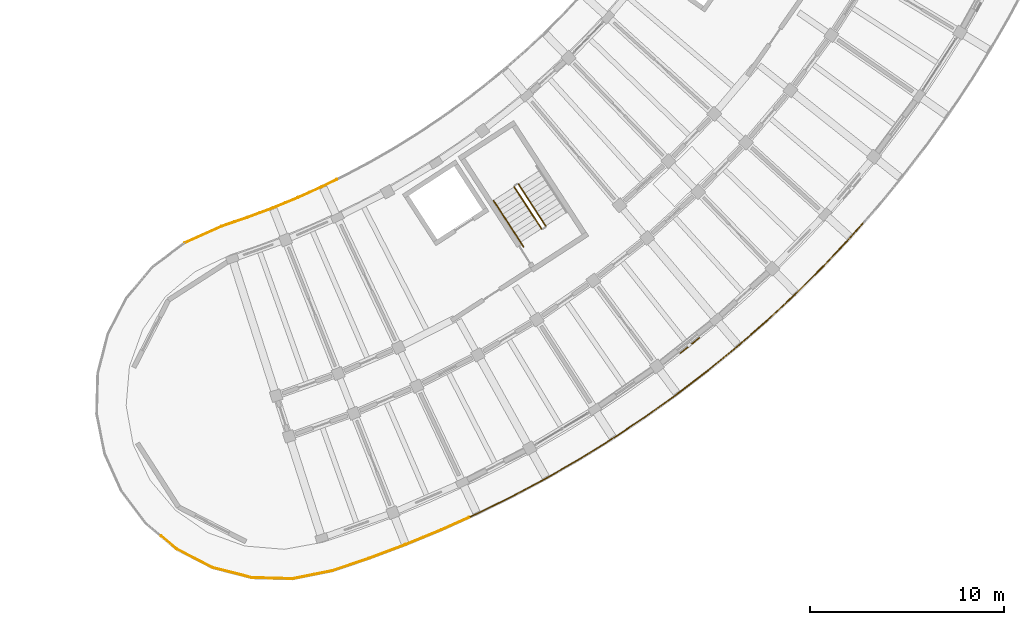
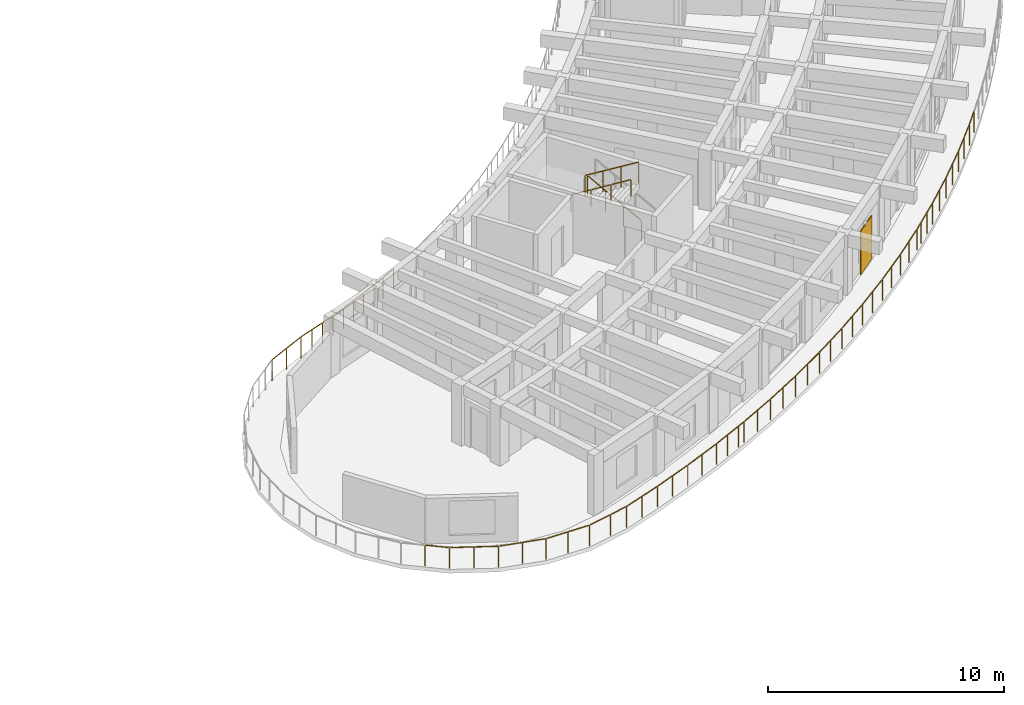
# One storey, part 71 of 78: 11 railings, 1 shading device.
"""IFC4 building model written with IfcOpenShell, lengths in metres."""

from ifc_helpers import new_model, si_unit, direction, frame, origin, origin_2d, place, context, subcontext, project, spatial, rectangle, circle, extrude, material, layer, layer_set, type_object, element, save


model = new_model("IFC4")

# Units and contexts
model_context = context("Model", 3, precision=1e-05, world=origin(), true_north=direction((0.0, 1.0)))
body_context = subcontext(model_context, "Body", "Model", "MODEL_VIEW")
ifc_project = project(units=[si_unit("LENGTHUNIT", "METRE"), si_unit("AREAUNIT", "SQUARE_METRE"), si_unit("VOLUMEUNIT", "CUBIC_METRE"), si_unit("PLANEANGLEUNIT", "RADIAN"), si_unit("MASSUNIT", "GRAM", prefix="KILO")], contexts=[model_context])

# Site, building, storey
site_placement = place(None, origin())
site = spatial("IfcSite", under=ifc_project, at=site_placement, CompositionType="ELEMENT")
building_placement = place(site_placement, origin())
building = spatial("IfcBuilding", under=site, at=building_placement, Name="Tanwirah Colonnade Gardens", CompositionType="ELEMENT")
storey_placement = place(building_placement, frame((0.0, 0.0, 22.280029296875)))
storey = spatial("IfcBuildingStorey", under=building, at=storey_placement, Name="L06", CompositionType="ELEMENT", Elevation=22.280029296875)

# Railings
ifc_material_1 = material(Name="Precast concrete C40/50", Category="concrete")
railing_type_1 = type_object("IfcRailingType", Name="BAL-EXT110", PredefinedType="BALUSTRADE", material=ifc_material_1)
railing_1_placement = place(storey_placement, frame((132.10791015625, 22.99658203125, 0.0)))
element("IfcRailing", 1, at=railing_1_placement, inside=storey, type_object=railing_type_1, Name="Block D L06 Balcony Ribbon Balustrade 1", PredefinedType="BALUSTRADE", context=body_context, shape_type="SweptSolid", body=[
    extrude(circle(Radius=0.02392578125, at=origin_2d()), frame((0.028564453125, 0.0126953125, 1.076171875), z_axis=(0.912318470045, 0.409481390559, 0.0), x_axis=(-0.409481390559, 0.912318470045, 0.0)), (0.0, 0.0, 1.0), 2.029541015625),
    extrude(circle(Radius=0.02392578125, at=origin_2d()), frame((1.938232421875, 0.86669921875, 1.076171875), z_axis=(0.947251242872, 0.320491938866, 0.0), x_axis=(-0.320491938866, 0.947251242872, 0.0)), (0.0, 0.0, 1.0), 1.32763671875),
    extrude(circle(Radius=0.02392578125, at=origin_2d()), frame((3.25732421875, 1.314208984375, 1.076171875), z_axis=(0.936314781462, 0.351161828813, 0.0), x_axis=(-0.351161828813, 0.936314781462, 0.0)), (0.0, 0.0, 1.0), 1.33154296875),
    extrude(circle(Radius=0.02392578125, at=origin_2d()), frame((4.564453125, 1.8056640625, 1.076171875), z_axis=(0.924300384608, 0.381665821122, 0.0), x_axis=(-0.381665821122, 0.924300384608, 0.0)), (0.0, 0.0, 1.0), 1.331298828125),
    extrude(circle(Radius=0.02392578125, at=origin_2d()), frame((5.85498046875, 2.33984375, 1.076171875), z_axis=(0.911383314029, 0.411558568018, 0.0), x_axis=(-0.411558568018, 0.911383314029, 0.0)), (0.0, 0.0, 1.0), 1.33154296875),
    extrude(circle(Radius=0.02392578125, at=origin_2d()), frame((7.127197265625, 2.915771484375, 1.076171875), z_axis=(0.897365326913, 0.441288420486, 0.0), x_axis=(-0.441288420486, 0.897365326913, 0.0)), (0.0, 0.0, 1.0), 0.762939453125),
    extrude(circle(Radius=0.02099609375, at=origin_2d()), origin(), (0.0, 0.0, 1.0), 1.049072265625),
    extrude(circle(Radius=0.02099609375, at=origin_2d()), frame((0.954345703125, 0.42822265625, 0.0)), (0.0, 0.0, 1.0), 1.049072265625),
    extrude(circle(Radius=0.02099609375, at=origin_2d()), frame((1.90869140625, 0.856689453125, 0.0)), (0.0, 0.0, 1.0), 1.049072265625),
    extrude(circle(Radius=0.02099609375, at=origin_2d()), frame((2.567138671875, 1.07958984375, 0.0)), (0.0, 0.0, 1.0), 1.049072265625),
    extrude(circle(Radius=0.02099609375, at=origin_2d()), frame((3.2255859375, 1.30224609375, 0.0)), (0.0, 0.0, 1.0), 1.049072265625),
    extrude(circle(Radius=0.02099609375, at=origin_2d()), frame((3.880615234375, 1.5478515625, 0.0)), (0.0, 0.0, 1.0), 1.049072265625),
    extrude(circle(Radius=0.02099609375, at=origin_2d()), frame((4.533203125, 1.792724609375, 0.0)), (0.0, 0.0, 1.0), 1.049072265625),
    extrude(circle(Radius=0.02099609375, at=origin_2d()), frame((5.1796875, 2.0595703125, 0.0)), (0.0, 0.0, 1.0), 1.049072265625),
    extrude(circle(Radius=0.02099609375, at=origin_2d()), frame((5.823974609375, 2.32568359375, 0.0)), (0.0, 0.0, 1.0), 1.049072265625),
    extrude(circle(Radius=0.02099609375, at=origin_2d()), frame((6.461669921875, 2.61376953125, 0.0)), (0.0, 0.0, 1.0), 1.049072265625),
    extrude(circle(Radius=0.02099609375, at=origin_2d()), frame((7.096923828125, 2.900634765625, 0.0)), (0.0, 0.0, 1.0), 1.049072265625),
    extrude(circle(Radius=0.02099609375, at=origin_2d()), frame((7.83984375, 3.26611328125, 0.0)), (0.0, 0.0, 1.0), 1.049072265625),
])
railing_2_placement = place(storey_placement, frame((167.04296875, 24.01318359375, 0.0)))
element("IfcRailing", 2, at=railing_2_placement, inside=storey, type_object=railing_type_1, Name="Block D L06 Balcony Ribbon Balustrade 12", PredefinedType="BALUSTRADE", context=body_context, shape_type="SweptSolid", body=[
    extrude(circle(Radius=0.02392578125, at=origin_2d()), frame((-0.020751953125, -0.0234375, 1.076171875), z_axis=(-0.66021592109, -0.751075853386, 0.0), x_axis=(0.751075853386, -0.66021592109, 0.0)), (0.0, 0.0, 1.0), 0.92626953125),
    extrude(circle(Radius=0.02392578125, at=origin_2d()), frame((-0.67431640625, -0.765380859375, 1.076171875), z_axis=(-0.684365955264, -0.729138696871, 0.0), x_axis=(0.729138696871, -0.684365955264, 0.0)), (0.0, 0.0, 1.0), 1.944091796875),
    extrude(circle(Radius=0.02392578125, at=origin_2d()), frame((-2.04833984375, -2.227783203125, 1.076171875), z_axis=(-0.707897217537, -0.706315460261, 0.0), x_axis=(0.706315460261, -0.707897217537, 0.0)), (0.0, 0.0, 1.0), 1.944091796875),
    extrude(circle(Radius=0.02392578125, at=origin_2d()), frame((-3.469482421875, -3.644287109375, 1.076171875), z_axis=(-0.730610060212, -0.682794947196, 0.0), x_axis=(0.682794947196, -0.730610060212, 0.0)), (0.0, 0.0, 1.0), 1.944091796875),
    extrude(circle(Radius=0.02392578125, at=origin_2d()), frame((-4.93603515625, -5.013671875, 1.076171875), z_axis=(-0.752525989132, -0.658562552595, 0.0), x_axis=(0.658562552595, -0.752525989132, 0.0)), (0.0, 0.0, 1.0), 1.428955078125),
    extrude(circle(Radius=0.02099609375, at=origin_2d()), origin(), (0.0, 0.0, 1.0), 1.049072265625),
    extrude(circle(Radius=0.02099609375, at=origin_2d()), frame((-0.65283203125, -0.74267578125, 0.0)), (0.0, 0.0, 1.0), 1.049072265625),
    extrude(circle(Radius=0.02099609375, at=origin_2d()), frame((-1.33935546875, -1.47412109375, 0.0)), (0.0, 0.0, 1.0), 1.049072265625),
    extrude(circle(Radius=0.02099609375, at=origin_2d()), frame((-2.026123046875, -2.205810546875, 0.0)), (0.0, 0.0, 1.0), 1.049072265625),
    extrude(circle(Radius=0.02099609375, at=origin_2d()), frame((-2.736328125, -2.91455078125, 0.0)), (0.0, 0.0, 1.0), 1.049072265625),
    extrude(circle(Radius=0.02099609375, at=origin_2d()), frame((-3.446533203125, -3.623046875, 0.0)), (0.0, 0.0, 1.0), 1.049072265625),
    extrude(circle(Radius=0.02099609375, at=origin_2d()), frame((-4.1796875, -4.30810546875, 0.0)), (0.0, 0.0, 1.0), 1.049072265625),
    extrude(circle(Radius=0.02099609375, at=origin_2d()), frame((-4.91259765625, -4.9931640625, 0.0)), (0.0, 0.0, 1.0), 1.049072265625),
    extrude(circle(Radius=0.02099609375, at=origin_2d()), frame((-5.4736328125, -5.484375, 0.0)), (0.0, 0.0, 1.0), 1.049072265625),
    extrude(circle(Radius=0.02099609375, at=origin_2d()), frame((-6.034912109375, -5.975341796875, 0.0)), (0.0, 0.0, 1.0), 1.049072265625),
])
railing_3_placement = place(storey_placement, frame((161.008056640625, 18.037841796875, 0.0)))
element("IfcRailing", 3, at=railing_3_placement, inside=storey, type_object=railing_type_1, Name="Block D L06 Balcony Ribbon Balustrade 13", PredefinedType="BALUSTRADE", context=body_context, shape_type="SweptSolid", body=[
    extrude(circle(Radius=0.02392578125, at=origin_2d()), frame((-0.0234375, -0.0205078125, 1.076171875), z_axis=(-0.752459270852, -0.658638782421, 0.0), x_axis=(0.658638782421, -0.752459270852, 0.0)), (0.0, 0.0, 1.0), 0.45263671875),
    extrude(circle(Radius=0.02392578125, at=origin_2d()), frame((-0.411865234375, -0.359130859375, 1.076171875), z_axis=(-0.773707873236, -0.633542521771, 0.0), x_axis=(0.633542521771, -0.773707873236, 0.0)), (0.0, 0.0, 1.0), 1.944091796875),
    extrude(circle(Radius=0.02392578125, at=origin_2d()), frame((-1.965087890625, -1.629638671875, 1.076171875), z_axis=(-0.794033083107, -0.607874545388, 0.0), x_axis=(0.607874545388, -0.794033083107, 0.0)), (0.0, 0.0, 1.0), 1.944091796875),
    extrude(circle(Radius=0.02392578125, at=origin_2d()), frame((-3.558837890625, -2.848388671875, 1.076171875), z_axis=(-0.813486769226, -0.581583421612, 0.0), x_axis=(0.581583421612, -0.813486769226, 0.0)), (0.0, 0.0, 1.0), 1.944091796875),
    extrude(circle(Radius=0.02392578125, at=origin_2d()), frame((-5.19189453125, -4.0146484375, 1.076171875), z_axis=(-0.83206940562, -0.554671528232, 0.0), x_axis=(0.554671528232, -0.83206940562, 0.0)), (0.0, 0.0, 1.0), 1.90283203125),
    extrude(circle(Radius=0.02099609375, at=origin_2d()), origin(), (0.0, 0.0, 1.0), 1.049072265625),
    extrude(circle(Radius=0.02099609375, at=origin_2d()), frame((-0.3876953125, -0.33935546875, 0.0)), (0.0, 0.0, 1.0), 1.049072265625),
    extrude(circle(Radius=0.02099609375, at=origin_2d()), frame((-1.1640625, -0.97509765625, 0.0)), (0.0, 0.0, 1.0), 1.049072265625),
    extrude(circle(Radius=0.02099609375, at=origin_2d()), frame((-1.940185546875, -1.610595703125, 0.0)), (0.0, 0.0, 1.0), 1.049072265625),
    extrude(circle(Radius=0.02099609375, at=origin_2d()), frame((-2.73681640625, -2.220458984375, 0.0)), (0.0, 0.0, 1.0), 1.049072265625),
    extrude(circle(Radius=0.02099609375, at=origin_2d()), frame((-3.533447265625, -2.830322265625, 0.0)), (0.0, 0.0, 1.0), 1.049072265625),
    extrude(circle(Radius=0.02099609375, at=origin_2d()), frame((-4.349609375, -3.413818359375, 0.0)), (0.0, 0.0, 1.0), 1.049072265625),
    extrude(circle(Radius=0.02099609375, at=origin_2d()), frame((-5.165771484375, -3.997314453125, 0.0)), (0.0, 0.0, 1.0), 1.049072265625),
    extrude(circle(Radius=0.02099609375, at=origin_2d()), frame((-5.9833984375, -4.54248046875, 0.0)), (0.0, 0.0, 1.0), 1.049072265625),
    extrude(circle(Radius=0.02099609375, at=origin_2d()), frame((-6.801025390625, -5.08740234375, 0.0)), (0.0, 0.0, 1.0), 1.049072265625),
])
railing_4_placement = place(storey_placement, frame((154.20703125, 12.950439453125, 0.0)))
element("IfcRailing", 4, at=railing_4_placement, inside=storey, type_object=railing_type_1, Name="Block D L06 Balcony Ribbon Balustrade 14", PredefinedType="BALUSTRADE", context=body_context, shape_type="SweptSolid", body=[
    extrude(circle(Radius=0.02392578125, at=origin_2d()), frame((-0.06103515625, -0.03955078125, 1.076171875), z_axis=(-0.84977735452, -0.527141771959, 0.0), x_axis=(0.527141771959, -0.84977735452, 0.0)), (0.0, 0.0, 1.0), 1.9443359375),
    extrude(circle(Radius=0.02392578125, at=origin_2d()), frame((-1.766845703125, -1.096435546875, 1.076171875), z_axis=(-0.866598539642, -0.499005983021, 0.0), x_axis=(0.499005983021, -0.866598539642, 0.0)), (0.0, 0.0, 1.0), 1.94384765625),
    extrude(circle(Radius=0.02392578125, at=origin_2d()), frame((-3.506103515625, -2.0966796875, 1.076171875), z_axis=(-0.882416921514, -0.470468252516, 0.0), x_axis=(0.470468252516, -0.882416921514, 0.0)), (0.0, 0.0, 1.0), 1.944091796875),
    extrude(circle(Radius=0.02392578125, at=origin_2d()), frame((-5.27734375, -3.0400390625, 1.076171875), z_axis=(-0.897352335885, -0.441314836916, 0.0), x_axis=(0.441314836916, -0.897352335885, 0.0)), (0.0, 0.0, 1.0), 1.944091796875),
    extrude(circle(Radius=0.02392578125, at=origin_2d()), frame((-7.078369140625, -3.924560546875, 1.076171875), z_axis=(-0.911254351901, -0.41184403133, 0.0), x_axis=(0.41184403133, -0.911254351901, 0.0)), (0.0, 0.0, 1.0), 0.36962890625),
    extrude(circle(Radius=0.02099609375, at=origin_2d()), origin(), (0.0, 0.0, 1.0), 1.049072265625),
    extrude(circle(Radius=0.02099609375, at=origin_2d()), frame((-0.88720703125, -0.5517578125, 0.0)), (0.0, 0.0, 1.0), 1.049072265625),
    extrude(circle(Radius=0.02099609375, at=origin_2d()), frame((-1.73974609375, -1.080810546875, 0.0)), (0.0, 0.0, 1.0), 1.049072265625),
    extrude(circle(Radius=0.02099609375, at=origin_2d()), frame((-2.609130859375, -1.58154296875, 0.0)), (0.0, 0.0, 1.0), 1.049072265625),
    extrude(circle(Radius=0.02099609375, at=origin_2d()), frame((-3.478515625, -2.08203125, 0.0)), (0.0, 0.0, 1.0), 1.049072265625),
    extrude(circle(Radius=0.02099609375, at=origin_2d()), frame((-4.36376953125, -2.55419921875, 0.0)), (0.0, 0.0, 1.0), 1.049072265625),
    extrude(circle(Radius=0.02099609375, at=origin_2d()), frame((-5.249267578125, -3.026123046875, 0.0)), (0.0, 0.0, 1.0), 1.049072265625),
    extrude(circle(Radius=0.02099609375, at=origin_2d()), frame((-6.1494140625, -3.46875, 0.0)), (0.0, 0.0, 1.0), 1.049072265625),
    extrude(circle(Radius=0.02099609375, at=origin_2d()), frame((-7.0498046875, -3.91162109375, 0.0)), (0.0, 0.0, 1.0), 1.049072265625),
    extrude(circle(Radius=0.02099609375, at=origin_2d()), frame((-7.443603515625, -4.089599609375, 0.0)), (0.0, 0.0, 1.0), 1.049072265625),
])
railing_5_placement = place(storey_placement, frame((146.763427734375, 8.86083984375, 0.0)))
element("IfcRailing", 5, at=railing_5_placement, inside=storey, type_object=railing_type_1, Name="Block D L06 Balcony Ribbon Balustrade 15", PredefinedType="BALUSTRADE", context=body_context, shape_type="SweptSolid", body=[
    extrude(circle(Radius=0.02392578125, at=origin_2d()), frame((-0.028564453125, -0.012939453125, 1.076171875), z_axis=(-0.911319931771, -0.411698897201, 0.0), x_axis=(0.411698897201, -0.911319931771, 0.0)), (0.0, 0.0, 1.0), 1.511962890625),
    extrude(circle(Radius=0.02392578125, at=origin_2d()), frame((-1.463623046875, -0.66015625, 1.076171875), z_axis=(-0.924299685122, -0.381667515102, 0.0), x_axis=(0.381667515102, -0.924299685122, 0.0)), (0.0, 0.0, 1.0), 1.944091796875),
    extrude(circle(Radius=0.02392578125, at=origin_2d()), frame((-3.31884765625, -1.425048828125, 1.076171875), z_axis=(-0.93628917395, -0.351230099427, 0.0), x_axis=(0.351230099427, -0.93628917395, 0.0)), (0.0, 0.0, 1.0), 1.9443359375),
    extrude(circle(Radius=0.02392578125, at=origin_2d()), frame((-5.197998046875, -2.12890625, 1.076171875), z_axis=(-0.947284297423, -0.320394225692, 0.0), x_axis=(0.320394225692, -0.947284297423, 0.0)), (0.0, 0.0, 1.0), 1.93994140625),
    extrude(circle(Radius=0.02392578125, at=origin_2d()), frame((-7.09619140625, -2.7666015625, 1.076171875), z_axis=(-0.980560022105, -0.196219374804, 0.0), x_axis=(0.196219374804, -0.980560022105, 0.0)), (0.0, 0.0, 1.0), 0.846923828125),
    extrude(circle(Radius=0.02099609375, at=origin_2d()), origin(), (0.0, 0.0, 1.0), 1.049072265625),
    extrude(circle(Radius=0.02099609375, at=origin_2d()), frame((-0.71728515625, -0.32421875, 0.0)), (0.0, 0.0, 1.0), 1.049072265625),
    extrude(circle(Radius=0.02099609375, at=origin_2d()), frame((-1.434814453125, -0.648193359375, 0.0)), (0.0, 0.0, 1.0), 1.049072265625),
    extrude(circle(Radius=0.02099609375, at=origin_2d()), frame((-2.3623046875, -1.03125, 0.0)), (0.0, 0.0, 1.0), 1.049072265625),
    extrude(circle(Radius=0.02099609375, at=origin_2d()), frame((-3.28955078125, -1.4140625, 0.0)), (0.0, 0.0, 1.0), 1.049072265625),
    extrude(circle(Radius=0.02099609375, at=origin_2d()), frame((-4.22900390625, -1.7666015625, 0.0)), (0.0, 0.0, 1.0), 1.049072265625),
    extrude(circle(Radius=0.02099609375, at=origin_2d()), frame((-5.16845703125, -2.118896484375, 0.0)), (0.0, 0.0, 1.0), 1.049072265625),
    extrude(circle(Radius=0.02099609375, at=origin_2d()), frame((-6.116943359375, -2.439697265625, 0.0)), (0.0, 0.0, 1.0), 1.049072265625),
    extrude(circle(Radius=0.02099609375, at=origin_2d()), frame((-7.0654296875, -2.760498046875, 0.0)), (0.0, 0.0, 1.0), 1.049072265625),
    extrude(circle(Radius=0.02099609375, at=origin_2d()), frame((-7.957275390625, -2.93896484375, 0.0)), (0.0, 0.0, 1.0), 1.049072265625),
])
railing_6_placement = place(storey_placement, frame((138.80615234375, 5.921875, 0.0)))
element("IfcRailing", 6, at=railing_6_placement, inside=storey, type_object=railing_type_1, Name="Block D L06 Balcony Ribbon Balustrade 16", PredefinedType="BALUSTRADE", context=body_context, shape_type="SweptSolid", body=[
    extrude(circle(Radius=0.02392578125, at=origin_2d()), frame((-0.03076171875, -0.006103515625, 1.076171875), z_axis=(-0.980532949212, -0.196354616727, 0.0), x_axis=(0.196354616727, -0.980532949212, 0.0)), (0.0, 0.0, 1.0), 1.11865234375),
    extrude(circle(Radius=0.02392578125, at=origin_2d()), frame((-1.189453125, -0.231201171875, 1.076171875), z_axis=(-0.999641092133, 0.026789679356, 0.0), x_axis=(-0.026789679356, -0.999641092133, 0.0)), (0.0, 0.0, 1.0), 2.0244140625),
    extrude(circle(Radius=0.02392578125, at=origin_2d()), frame((-3.274658203125, -0.168212890625, 1.076171875), z_axis=(-0.968609718191, 0.248586431299, 0.0), x_axis=(-0.248586431299, -0.968609718191, 0.0)), (0.0, 0.0, 1.0), 2.0244140625),
    extrude(circle(Radius=0.02392578125, at=origin_2d()), frame((-5.293701171875, 0.357177734375, 1.076171875), z_axis=(-0.889052484273, 0.457805286348, 0.0), x_axis=(-0.457805286348, -0.889052484273, 0.0)), (0.0, 0.0, 1.0), 2.024169921875),
    extrude(circle(Radius=0.02392578125, at=origin_2d()), frame((-7.14501953125, 1.318115234375, 1.076171875), z_axis=(-0.764863330228, 0.644192584614, 0.0), x_axis=(-0.644192584614, -0.764863330228, 0.0)), (0.0, 0.0, 1.0), 0.99560546875),
    extrude(circle(Radius=0.02099609375, at=origin_2d()), origin(), (0.0, 0.0, 1.0), 1.049072265625),
    extrude(circle(Radius=0.02099609375, at=origin_2d()), frame((-1.158203125, -0.23193359375, 0.0)), (0.0, 0.0, 1.0), 1.049072265625),
    extrude(circle(Radius=0.02099609375, at=origin_2d()), frame((-2.201171875, -0.2041015625, 0.0)), (0.0, 0.0, 1.0), 1.049072265625),
    extrude(circle(Radius=0.02099609375, at=origin_2d()), frame((-3.244384765625, -0.176025390625, 0.0)), (0.0, 0.0, 1.0), 1.049072265625),
    extrude(circle(Radius=0.02099609375, at=origin_2d()), frame((-4.255126953125, 0.08349609375, 0.0)), (0.0, 0.0, 1.0), 1.049072265625),
    extrude(circle(Radius=0.02099609375, at=origin_2d()), frame((-5.265869140625, 0.3427734375, 0.0)), (0.0, 0.0, 1.0), 1.049072265625),
    extrude(circle(Radius=0.02099609375, at=origin_2d()), frame((-6.193359375, 0.8203125, 0.0)), (0.0, 0.0, 1.0), 1.049072265625),
    extrude(circle(Radius=0.02099609375, at=origin_2d()), frame((-7.12109375, 1.298095703125, 0.0)), (0.0, 0.0, 1.0), 1.049072265625),
    extrude(circle(Radius=0.02099609375, at=origin_2d()), frame((-7.930419921875, 1.979736328125, 0.0)), (0.0, 0.0, 1.0), 1.049072265625),
])
ifc_material_2 = material(Name="Powder-coated galvanized steel", Category="steel")
railing_type_2 = type_object("IfcRailingType", Name="GRD-ST110", PredefinedType="GUARDRAIL", material=ifc_material_2)
railing_7_placement = place(storey_placement, frame((150.691162109375, 23.865478515625, 0.16796875)))
element("IfcRailing", 7, at=railing_7_placement, inside=storey, type_object=railing_type_2, Name="L06 ST-D1 stair guard 1", PredefinedType="GUARDRAIL", context=body_context, shape_type="SweptSolid", body=[
    extrude(circle(Radius=0.02392578125, at=origin_2d()), frame((-0.0146484375, 0.022705078125, 1.092041015625), z_axis=(-0.469192556557, 0.722484378858, 0.507813614603), x_axis=(-0.838667537708, -0.544643701143, 0.0)), (0.0, 0.0, 1.0), 2.914794921875),
    extrude(circle(Radius=0.02099609375, at=origin_2d()), origin(), (0.0, 0.0, 1.0), 1.049072265625),
    extrude(circle(Radius=0.02099609375, at=origin_2d()), frame((-0.465576171875, 0.717041015625, 0.50390625)), (0.0, 0.0, 1.0), 1.049072265625),
    extrude(circle(Radius=0.02099609375, at=origin_2d()), frame((-0.931396484375, 1.43408203125, 1.008056640625)), (0.0, 0.0, 1.0), 1.049072265625),
    extrude(circle(Radius=0.02099609375, at=origin_2d()), frame((-1.39697265625, 2.151123046875, 1.511962890625)), (0.0, 0.0, 1.0), 1.049072265625),
])
railing_8_placement = place(storey_placement, frame((149.076171875, 25.875, 1.847900390625)))
element("IfcRailing", 8, at=railing_8_placement, inside=storey, type_object=railing_type_2, Name="L06 ST-D1 stair guard 3", PredefinedType="GUARDRAIL", context=body_context, shape_type="SweptSolid", body=[
    extrude(circle(Radius=0.02392578125, at=origin_2d()), frame((0.0146484375, -0.022705078125, 1.092041015625), z_axis=(0.469192556557, -0.722484378858, 0.507813614603), x_axis=(0.838667537708, 0.544643701143, 0.0)), (0.0, 0.0, 1.0), 2.914794921875),
    extrude(circle(Radius=0.02099609375, at=origin_2d()), origin(), (0.0, 0.0, 1.0), 1.049072265625),
    extrude(circle(Radius=0.02099609375, at=origin_2d()), frame((0.465576171875, -0.717041015625, 0.50390625)), (0.0, 0.0, 1.0), 1.049072265625),
    extrude(circle(Radius=0.02099609375, at=origin_2d()), frame((0.931396484375, -1.43408203125, 1.008056640625)), (0.0, 0.0, 1.0), 1.049072265625),
    extrude(circle(Radius=0.02099609375, at=origin_2d()), frame((1.39697265625, -2.151123046875, 1.511962890625)), (0.0, 0.0, 1.0), 1.049072265625),
])
ifc_material_3 = material(Name="Brushed bronze stainless steel", Category="steel")
railing_type_3 = type_object("IfcRailingType", Name="HR-ST090", PredefinedType="HANDRAIL", material=ifc_material_3)
railing_9_placement = place(storey_placement, frame((148.002685546875, 25.177978515625, 1.847900390625)))
element("IfcRailing", 9, at=railing_9_placement, inside=storey, type_object=railing_type_3, Name="L06 ST-D1 stair handrail 4", PredefinedType="HANDRAIL", context=body_context, shape_type="SweptSolid", body=[
    extrude(circle(Radius=0.02392578125, at=origin_2d()), frame((0.0146484375, -0.0224609375, 0.891845703125), z_axis=(0.467762236297, -0.720517196448, 0.511911574315), x_axis=(0.838748777278, 0.544518584269, 0.0)), (0.0, 0.0, 1.0), 1.04345703125),
    extrude(circle(Radius=0.02099609375, at=origin_2d()), origin(), (0.0, 0.0, 1.0), 0.848876953125),
    extrude(circle(Radius=0.02099609375, at=origin_2d()), frame((0.517333984375, -0.796875, 0.566162109375)), (0.0, 0.0, 1.0), 0.848876953125),
])
railing_10_placement = place(storey_placement, frame((148.52001953125, 24.381103515625, 2.4140625)))
element("IfcRailing", 10, at=railing_10_placement, inside=storey, type_object=railing_type_3, Name="L06 ST-D1 stair handrail 5", PredefinedType="HANDRAIL", context=body_context, shape_type="SweptSolid", body=[
    extrude(circle(Radius=0.02392578125, at=origin_2d()), frame((0.0146484375, -0.0224609375, 0.891845703125), z_axis=(0.468061963177, -0.720418012192, 0.511777184266), x_axis=(0.838555156357, 0.544816712067, 0.0)), (0.0, 0.0, 1.0), 1.043212890625),
    extrude(circle(Radius=0.02099609375, at=origin_2d()), origin(), (0.0, 0.0, 1.0), 0.848876953125),
    extrude(circle(Radius=0.02099609375, at=origin_2d()), frame((0.517578125, -0.796630859375, 0.56591796875)), (0.0, 0.0, 1.0), 0.848876953125),
])
railing_11_placement = place(storey_placement, frame((149.03759765625, 23.58447265625, 2.97998046875)))
element("IfcRailing", 11, at=railing_11_placement, inside=storey, type_object=railing_type_3, Name="L06 ST-D1 stair handrail 6", PredefinedType="HANDRAIL", context=body_context, shape_type="SweptSolid", body=[
    extrude(circle(Radius=0.02392578125, at=origin_2d()), frame((0.0146484375, -0.0224609375, 0.891845703125), z_axis=(0.467815092293, -0.720598613141, 0.511748647445), x_axis=(0.838748777278, 0.544518584269, 0.0)), (0.0, 0.0, 1.0), 1.043212890625),
    extrude(circle(Radius=0.02099609375, at=origin_2d()), origin(), (0.0, 0.0, 1.0), 0.848876953125),
    extrude(circle(Radius=0.02099609375, at=origin_2d()), frame((0.517333984375, -0.796875, 0.56591796875)), (0.0, 0.0, 1.0), 0.848876953125),
])

# Shading device
ifc_material_4 = material(Name="Perforated architectural bronze aluminium", Category="aluminium")
ifc_layer = layer(ifc_material_4, 0.044921875)
ifc_layer_set = layer_set([ifc_layer], Name="Perforated architectural bronze aluminium")
shading_device_type = type_object("IfcShadingDeviceType", Name="SHD-MSH1", PredefinedType="JALOUSIE", material=ifc_layer_set)
shading_device_placement = place(storey_placement, frame((158.117919921875, 17.69921875, 0.0), z_axis=(0.0, 0.0, 1.0), x_axis=(0.783964634348, 0.620805486519, 0.0)))
element("IfcShadingDevice", 12, at=shading_device_placement, inside=storey, type_object=shading_device_type, Name="Bronze mashrabiya solar screen D-L06-06", PredefinedType="JALOUSIE", context=body_context, shape_type="SweptSolid", body=[
    extrude(rectangle(XDim=1.300048828125, YDim=0.044921875, at=origin_2d()), origin(), (0.0, 0.0, 1.0), 2.25),
])

save(model, "model.ifc")
